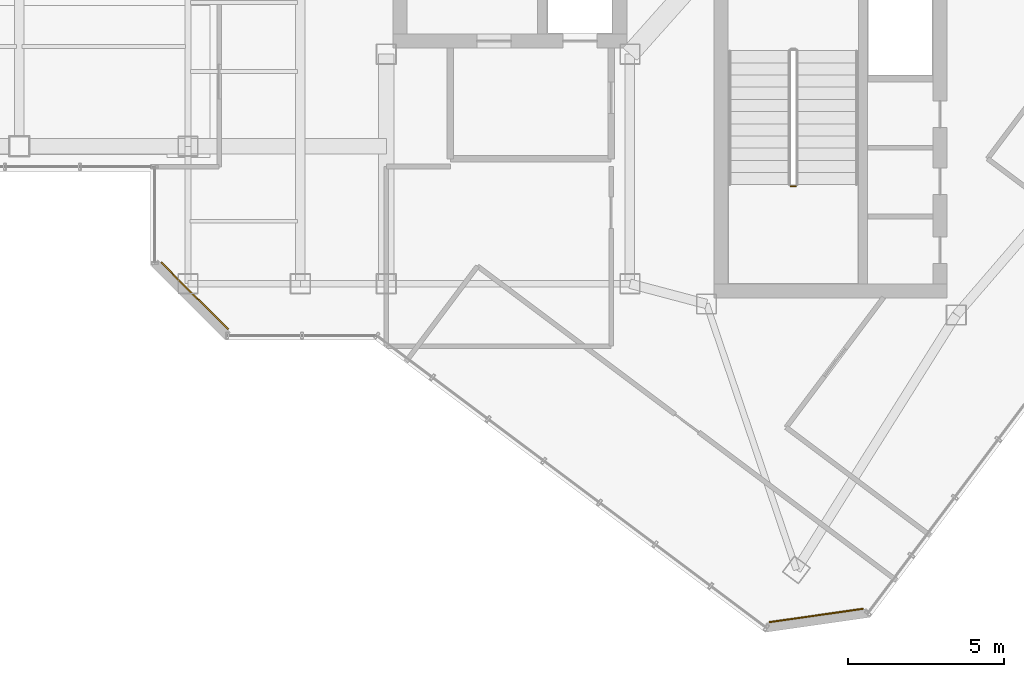
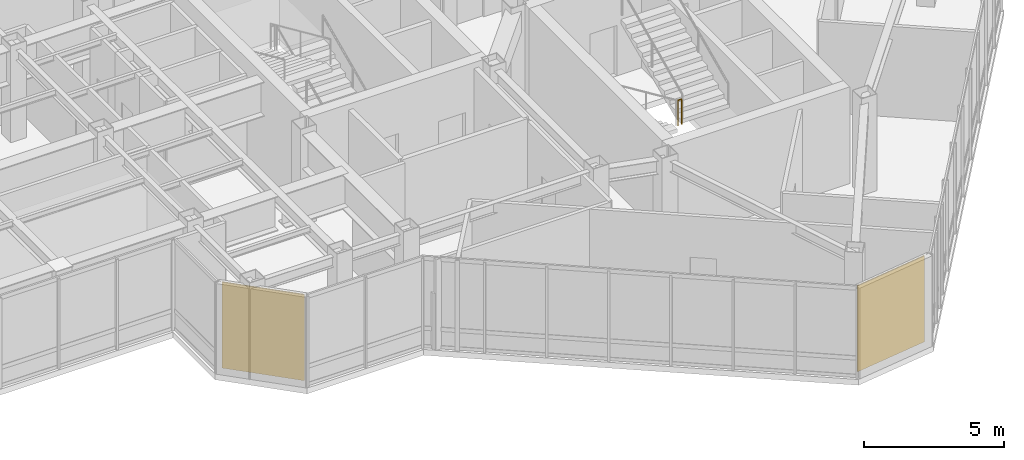
# One storey, part 20 of 22: 2 coverings, 1 railing.
"""IFC4 building model written with IfcOpenShell, lengths in metres."""

from ifc_helpers import new_model, si_unit, direction, frame, origin, origin_2d, place, context, subcontext, project, spatial, rectangle, circle, extrude, material, layer, layer_set, type_object, element, save


model = new_model("IFC4")

# Units and contexts
model_context = context("Model", 3, precision=1e-05, world=origin(), true_north=direction((0.0, 1.0)))
body_context = subcontext(model_context, "Body", "Model", "MODEL_VIEW")
ifc_project = project(units=[si_unit("LENGTHUNIT", "METRE"), si_unit("AREAUNIT", "SQUARE_METRE"), si_unit("VOLUMEUNIT", "CUBIC_METRE"), si_unit("PLANEANGLEUNIT", "RADIAN"), si_unit("MASSUNIT", "GRAM", prefix="KILO")], contexts=[model_context])

# Site, building, storey
site_placement = place(None, origin())
site = spatial("IfcSite", under=ifc_project, at=site_placement, CompositionType="ELEMENT")
building_placement = place(site_placement, origin())
building = spatial("IfcBuilding", under=site, at=building_placement, Name="Hatsunagi Terrace Concourse", CompositionType="ELEMENT")
storey_placement = place(building_placement, frame((0.0, 0.0, 261.75)))
storey = spatial("IfcBuildingStorey", under=building, at=storey_placement, Name="L69", CompositionType="ELEMENT", Elevation=261.75)

# Railing
ifc_material_1 = material(Name="Stainless steel", Category="steel")
ifc_layer_1 = layer(ifc_material_1, 0.06005859375)
ifc_layer_set_1 = layer_set([ifc_layer_1], Name="StairWellGuard_Tower2000")
railing_type = type_object("IfcRailingType", Name="StairWellGuard_Tower2000", PredefinedType="BALUSTRADE", material=ifc_layer_set_1)
railing_placement = place(storey_placement, frame((38.5, 28.320068359375, 2.10009765625)))
element("IfcRailing", 1, at=railing_placement, inside=storey, type_object=railing_type, Name="L69 ST-B stair guard 2", PredefinedType="BALUSTRADE", context=body_context, shape_type="SweptSolid", body=[
    extrude(circle(Radius=0.02392578125, at=origin_2d()), frame((0.0, 0.0, 1.09619140625), z_axis=(1.0, 0.0, 0.0), x_axis=(0.0, 1.0, 0.0)), (0.0, 0.0, 1.0), 0.14990234375),
    extrude(circle(Radius=0.02099609375, at=origin_2d()), origin(), (0.0, 0.0, 1.0), 1.072021484375),
    extrude(circle(Radius=0.02099609375, at=origin_2d()), frame((0.14990234375, 0.0, 0.0)), (0.0, 0.0, 1.0), 1.072021484375),
])

# Coverings
ifc_material_2 = material(Name="Unglazed Warm Terracotta Rainscreen Tile", Category="masonry")
ifc_layer_2 = layer(ifc_material_2, 0.044921875)
ifc_layer_set_2 = layer_set([ifc_layer_2], Name="TerracottaRainscreenCladding_45")
covering_type = type_object("IfcCoveringType", Name="TerracottaRainscreenCladding_45", PredefinedType="CLADDING", material=ifc_layer_set_2)
for number, where, z_axis, x_axis, name in (
    (2, (39.318115234375, 14.5791015625, 0.10009765625), (0.0, 0.0, 1.0), (-0.989973920543, -0.141250262458, 0.0), "Terracotta Rainscreen Cladding L69-09"),
    (3, (19.4140625, 24.81396484375, 0.10009765625), (0.0, 0.0, 1.0), (-0.707106781187, 0.707106781187, 0.0), "Terracotta Rainscreen Cladding L69-12"),
):
    element("IfcCovering", number, at=place(storey_placement, frame(where, z_axis=z_axis, x_axis=x_axis)), inside=storey, type_object=covering_type, Name=name, PredefinedType="CLADDING", context=body_context, shape_type="SweptSolid", body=[
        extrude(rectangle(XDim=3.0380859375, YDim=0.044921875, at=origin_2d()), origin(), (0.0, 0.0, 1.0), 3.739990234375),
    ])

save(model, "model.ifc")
